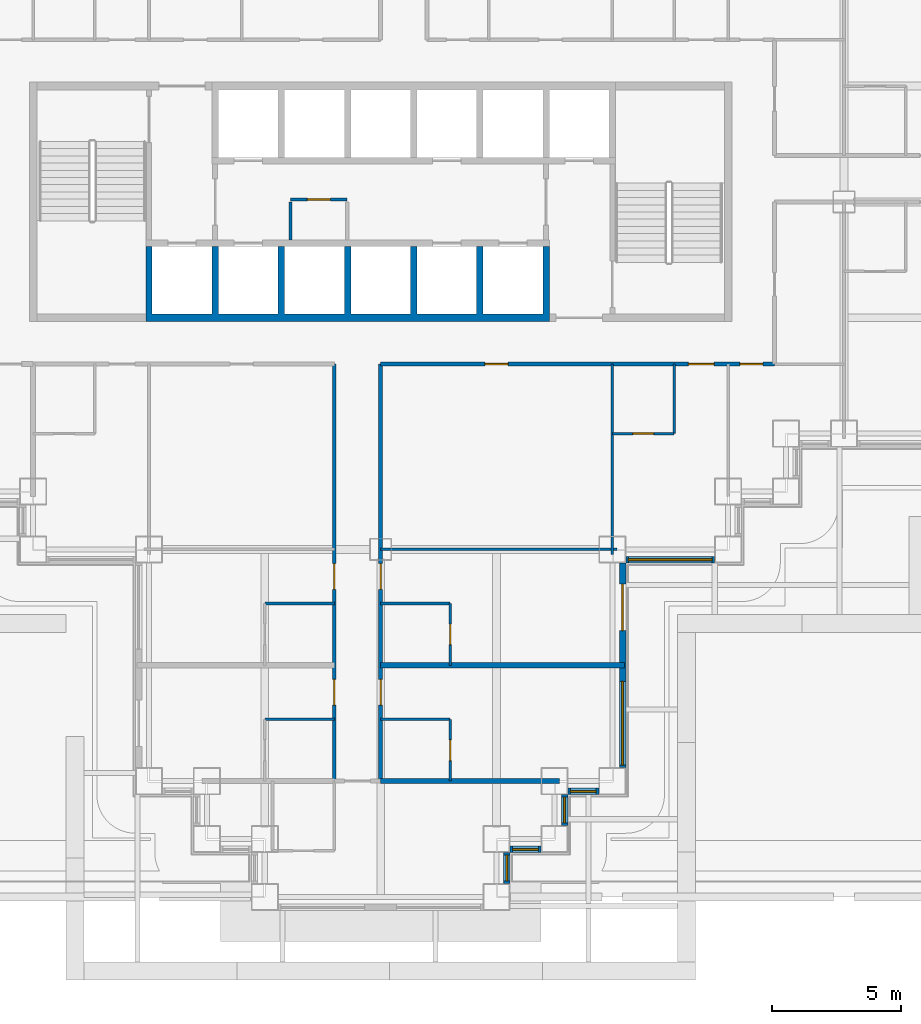
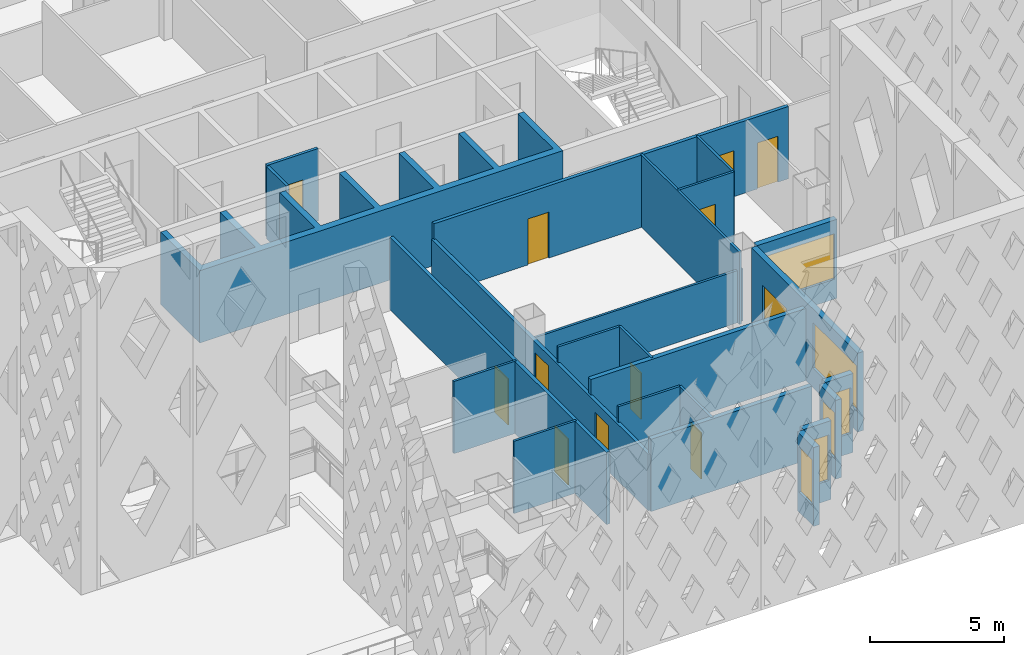
# One storey, part 5 of 26: 24 walls, 12 doors, 6 windows, 18 openings.
"""IFC4 building model written with IfcOpenShell, lengths in metres."""

from ifc_helpers import new_model, si_unit, direction, frame, frame_2d, origin, place, context, subcontext, project, spatial, polyline, rectangle, outline, extrude, material, layer, layer_set, type_object, element, fill, save


model = new_model("IFC4")

# Units and contexts
model_context = context("Model", 3, precision=1e-05, world=origin(), true_north=direction((0.0, 1.0)))
body_context = subcontext(model_context, "Body", "Model", "MODEL_VIEW")
ifc_project = project(units=[si_unit("LENGTHUNIT", "METRE"), si_unit("AREAUNIT", "SQUARE_METRE"), si_unit("VOLUMEUNIT", "CUBIC_METRE"), si_unit("PLANEANGLEUNIT", "RADIAN"), si_unit("MASSUNIT", "GRAM", prefix="KILO")], contexts=[model_context])

# Site, building, storey
site_placement = place(None, origin())
site = spatial("IfcSite", under=ifc_project, at=site_placement, CompositionType="ELEMENT")
building_placement = place(site_placement, origin())
building = spatial("IfcBuilding", under=site, at=building_placement, Name="Caravel Reach Hotel and Residences", CompositionType="ELEMENT")
storey_placement = place(building_placement, frame((0.0, 0.0, 33.60009765625)))
storey = spatial("IfcBuildingStorey", under=building, at=storey_placement, Name="L06", CompositionType="ELEMENT", Elevation=33.60009765625)

# Walls
ifc_material_1 = material(Name="Gypsum board on steel stud", Category="steel")
ifc_layer_1 = layer(ifc_material_1, 0.10009765625)
ifc_layer_set_1 = layer_set([ifc_layer_1], Name="Bathroom pod wall 100 mm")
wall_type_1 = type_object("IfcWallType", Name="Bathroom pod wall 100 mm", PredefinedType="PARTITIONING", material=ifc_layer_set_1)
for number, where, z_axis, x_axis, name in (
    (1, (31.5, 11.39990234375, 0.0), (0.0, 0.0, 1.0), (1.0, 0.0, 0.0), "L06 wall w080"),
    (2, (27.0, 11.39990234375, 0.0), (0.0, 0.0, 1.0), (1.0, 0.0, 0.0), "L06 wall w081"),
):
    element("IfcWall", number, at=place(storey_placement, frame(where, z_axis=z_axis, x_axis=x_axis)), inside=storey, type_object=wall_type_1, Name=name, PredefinedType="PARTITIONING", context=body_context, shape_type="SweptSolid", body=[
        extrude(rectangle(XDim=2.699951171875, YDim=0.10009765625, at=frame_2d((1.35009765625, 0.0))), origin(), (0.0, 0.0, 1.0), 3.2998046875),
    ])

# Wall, opening, door
wall_1_placement = place(storey_placement, frame((40.5, 18.0, 0.0), z_axis=(0.0, 0.0, 1.0), x_axis=(1.0, 0.0, 0.0)))
wall_1 = element("IfcWall", 3, at=wall_1_placement, inside=storey, type_object=wall_type_1, Name="L06 wall w083", PredefinedType="PARTITIONING", context=body_context, shape_type="SweptSolid", body=[
    extrude(rectangle(XDim=2.39990234375, YDim=0.10009765625, at=frame_2d((1.199951171875, 0.0))), origin(), (0.0, 0.0, 1.0), 3.2998046875),
])
opening_1_placement = place(wall_1_placement, frame((0.800048828125, 0.0, 0.0)))
opening_1 = element("IfcOpeningElement", 4, at=opening_1_placement, cuts=wall_1, Name="Opening D06-053", PredefinedType="OPENING", context=body_context, shape_type="SweptSolid", body=[
    extrude(rectangle(XDim=0.800048828125, YDim=2.10009765625, at=frame_2d((0.39990234375, 1.050048828125))), frame((0.0, 0.06005859375, 0.0), z_axis=(0.0, -1.0, 0.0), x_axis=(1.0, 0.0, 0.0)), (0.0, 0.0, 1.0), 0.1201171875),
])
ifc_material_2 = material(Name="Timber and steel door leaf", Category="steel")
door_type_1 = type_object("IfcDoorType", Name="Bathroom door 800 x 2100", OperationType="SINGLE_SWING_LEFT", PredefinedType="DOOR", material=ifc_material_2)
door_1_placement = place(opening_1_placement, origin())
door_1 = element("IfcDoor", 5, at=door_1_placement, inside=storey, type_object=door_type_1, Name="door D06-053", OperationType="SINGLE_SWING_RIGHT", OverallHeight=2.10009765625, OverallWidth=0.800048828125, PredefinedType="DOOR", context=body_context, shape_type="SweptSolid", body=[
    extrude(rectangle(XDim=0.800048828125, YDim=2.10009765625, at=frame_2d((0.39990234375, 1.050048828125))), frame((0.0, 0.02490234375, 0.0), z_axis=(0.0, -1.0, 0.0), x_axis=(1.0, 0.0, 0.0)), (0.0, 0.0, 1.0), 0.050048828125),
])
fill(opening_1, door_1)

# Walls
for number, where, z_axis, x_axis, name in (
    (6, (31.5, 6.89990234375, 0.0), (0.0, 0.0, 1.0), (1.0, 0.0, 0.0), "L06 wall w094"),
    (7, (27.0, 6.89990234375, 0.0), (0.0, 0.0, 1.0), (1.0, 0.0, 0.0), "L06 wall w095"),
):
    element("IfcWall", number, at=place(storey_placement, frame(where, z_axis=z_axis, x_axis=x_axis)), inside=storey, type_object=wall_type_1, Name=name, PredefinedType="PARTITIONING", context=body_context, shape_type="SweptSolid", body=[
        extrude(rectangle(XDim=2.699951171875, YDim=0.10009765625, at=frame_2d((1.35009765625, 0.0))), origin(), (0.0, 0.0, 1.0), 3.2998046875),
    ])

# Wall, opening, door
wall_2_placement = place(storey_placement, frame((34.199951171875, 9.0, 0.0), z_axis=(0.0, 0.0, 1.0), x_axis=(0.0, 1.0, 0.0)))
wall_2 = element("IfcWall", 8, at=wall_2_placement, inside=storey, type_object=wall_type_1, Name="L06 wall w104", PredefinedType="PARTITIONING", context=body_context, shape_type="SweptSolid", body=[
    extrude(rectangle(XDim=2.39990234375, YDim=0.10009765625, at=frame_2d((1.199951171875, 0.0))), origin(), (0.0, 0.0, 1.0), 3.2998046875),
])
opening_2_placement = place(wall_2_placement, frame((0.800048828125, 0.0, 0.0)))
opening_2 = element("IfcOpeningElement", 9, at=opening_2_placement, cuts=wall_2, Name="Opening D06-034", PredefinedType="OPENING", context=body_context, shape_type="SweptSolid", body=[
    extrude(rectangle(XDim=0.800048828125, YDim=2.10009765625, at=frame_2d((0.39990234375, 1.050048828125))), frame((0.0, 0.06005859375, 0.0), z_axis=(0.0, -1.0, 0.0), x_axis=(1.0, 0.0, 0.0)), (0.0, 0.0, 1.0), 0.1201171875),
])
door_2_placement = place(opening_2_placement, origin())
door_2 = element("IfcDoor", 10, at=door_2_placement, inside=storey, type_object=door_type_1, Name="door D06-034", OperationType="SINGLE_SWING_RIGHT", OverallHeight=2.10009765625, OverallWidth=0.800048828125, PredefinedType="DOOR", context=body_context, shape_type="SweptSolid", body=[
    extrude(rectangle(XDim=0.800048828125, YDim=2.10009765625, at=frame_2d((0.39990234375, 1.050048828125))), frame((0.0, 0.02490234375, 0.0), z_axis=(0.0, -1.0, 0.0), x_axis=(1.0, 0.0, 0.0)), (0.0, 0.0, 1.0), 0.050048828125),
])
fill(opening_2, door_2)

wall_3_placement = place(storey_placement, frame((34.199951171875, 4.5, 0.0), z_axis=(0.0, 0.0, 1.0), x_axis=(0.0, 1.0, 0.0)))
wall_3 = element("IfcWall", 11, at=wall_3_placement, inside=storey, type_object=wall_type_1, Name="L06 wall w105", PredefinedType="PARTITIONING", context=body_context, shape_type="SweptSolid", body=[
    extrude(rectangle(XDim=2.39990234375, YDim=0.10009765625, at=frame_2d((1.199951171875, 0.0))), origin(), (0.0, 0.0, 1.0), 3.2998046875),
])
opening_3_placement = place(wall_3_placement, frame((0.800048828125, 0.0, 0.0)))
opening_3 = element("IfcOpeningElement", 12, at=opening_3_placement, cuts=wall_3, Name="Opening D06-036", PredefinedType="OPENING", context=body_context, shape_type="SweptSolid", body=[
    extrude(rectangle(XDim=0.800048828125, YDim=2.10009765625, at=frame_2d((0.39990234375, 1.050048828125))), frame((0.0, 0.06005859375, 0.0), z_axis=(0.0, -1.0, 0.0), x_axis=(1.0, 0.0, 0.0)), (0.0, 0.0, 1.0), 0.1201171875),
])
door_3_placement = place(opening_3_placement, origin())
door_3 = element("IfcDoor", 13, at=door_3_placement, inside=storey, type_object=door_type_1, Name="door D06-036", OperationType="SINGLE_SWING_RIGHT", OverallHeight=2.10009765625, OverallWidth=0.800048828125, PredefinedType="DOOR", context=body_context, shape_type="SweptSolid", body=[
    extrude(rectangle(XDim=0.800048828125, YDim=2.10009765625, at=frame_2d((0.39990234375, 1.050048828125))), frame((0.0, 0.02490234375, 0.0), z_axis=(0.0, -1.0, 0.0), x_axis=(1.0, 0.0, 0.0)), (0.0, 0.0, 1.0), 0.050048828125),
])
fill(opening_3, door_3)

# Wall
wall_4_placement = place(storey_placement, frame((42.89990234375, 18.0, 0.0), z_axis=(0.0, 0.0, 1.0), x_axis=(0.0, 1.0, 0.0)))
element("IfcWall", 14, at=wall_4_placement, inside=storey, type_object=wall_type_1, Name="L06 wall w108", PredefinedType="PARTITIONING", context=body_context, shape_type="SweptSolid", body=[
    extrude(rectangle(XDim=2.699951171875, YDim=0.10009765625, at=frame_2d((1.35009765625, 0.0))), origin(), (0.0, 0.0, 1.0), 3.2998046875),
])

# Wall, openings, doors
ifc_material_3 = material(Name="Gypsum board on steel stud, fire-rated", Category="steel")
ifc_layer_2 = layer(ifc_material_3, 0.14990234375)
ifc_layer_set_2 = layer_set([ifc_layer_2], Name="Corridor wall 150 mm EI 60")
wall_type_2 = type_object("IfcWallType", Name="Corridor wall 150 mm EI 60", PredefinedType="PARTITIONING", material=ifc_layer_set_2)
wall_5_placement = place(storey_placement, frame((31.5, 20.699951171875, 0.0), z_axis=(0.0, 0.0, 1.0), x_axis=(1.0, 0.0, 0.0)))
wall_5 = element("IfcWall", 15, at=wall_5_placement, inside=storey, type_object=wall_type_2, Name="L06 wall w004", PredefinedType="PARTITIONING", context=body_context, shape_type="SweptSolid", body=[
    extrude(rectangle(XDim=15.300048828125, YDim=0.14990234375, at=frame_2d((7.64990234375, 0.0))), origin(), (0.0, 0.0, 1.0), 3.2998046875),
])
opening_4_placement = place(wall_5_placement, frame((11.949951171875, 0.0, 0.0)))
opening_4 = element("IfcOpeningElement", 16, at=opening_4_placement, cuts=wall_5, Name="Opening D06-052", PredefinedType="OPENING", context=body_context, shape_type="SweptSolid", body=[
    extrude(rectangle(XDim=1.0, YDim=2.10009765625, at=frame_2d((0.5, 1.050048828125))), frame((0.0, 0.0849609375, 0.0), z_axis=(0.0, -1.0, 0.0), x_axis=(1.0, 0.0, 0.0)), (0.0, 0.0, 1.0), 0.169921875),
])
opening_5_placement = place(wall_5_placement, frame((13.949951171875, 0.0, 0.0)))
opening_5 = element("IfcOpeningElement", 17, at=opening_5_placement, cuts=wall_5, Name="Opening D06-054", PredefinedType="OPENING", context=body_context, shape_type="SweptSolid", body=[
    extrude(rectangle(XDim=0.89990234375, YDim=2.10009765625, at=frame_2d((0.449951171875, 1.050048828125))), frame((0.0, 0.0849609375, 0.0), z_axis=(0.0, -1.0, 0.0), x_axis=(1.0, 0.0, 0.0)), (0.0, 0.0, 1.0), 0.169921875),
])
opening_6_placement = place(wall_5_placement, frame((4.050048828125, 0.0, 0.0)))
opening_6 = element("IfcOpeningElement", 18, at=opening_6_placement, cuts=wall_5, Name="Opening D06-060", PredefinedType="OPENING", context=body_context, shape_type="SweptSolid", body=[
    extrude(rectangle(XDim=0.89990234375, YDim=2.10009765625, at=frame_2d((0.449951171875, 1.050048828125))), frame((0.0, 0.0849609375, 0.0), z_axis=(0.0, -1.0, 0.0), x_axis=(1.0, 0.0, 0.0)), (0.0, 0.0, 1.0), 0.169921875),
])
ifc_material_4 = material(Name="Timber and steel door leaf", Category="steel")
door_type_2 = type_object("IfcDoorType", Name="Door 900 x 2100 timber", OperationType="SINGLE_SWING_LEFT", PredefinedType="DOOR", material=ifc_material_4)
door_4_placement = place(opening_5_placement, origin())
door_4 = element("IfcDoor", 19, at=door_4_placement, inside=storey, type_object=door_type_2, Name="door D06-054", OperationType="SINGLE_SWING_RIGHT", OverallHeight=2.10009765625, OverallWidth=0.89990234375, PredefinedType="DOOR", context=body_context, shape_type="SweptSolid", body=[
    extrude(rectangle(XDim=0.89990234375, YDim=2.10009765625, at=frame_2d((0.449951171875, 1.050048828125))), frame((0.0, 0.02490234375, 0.0), z_axis=(0.0, -1.0, 0.0), x_axis=(1.0, 0.0, 0.0)), (0.0, 0.0, 1.0), 0.050048828125),
])
fill(opening_5, door_4)
door_5_placement = place(opening_6_placement, origin())
door_5 = element("IfcDoor", 20, at=door_5_placement, inside=storey, type_object=door_type_2, Name="door D06-060", OperationType="SINGLE_SWING_LEFT", OverallHeight=2.10009765625, OverallWidth=0.89990234375, PredefinedType="DOOR", context=body_context, shape_type="SweptSolid", body=[
    extrude(rectangle(XDim=0.89990234375, YDim=2.10009765625, at=frame_2d((0.449951171875, 1.050048828125))), frame((0.0, 0.02490234375, 0.0), z_axis=(0.0, -1.0, 0.0), x_axis=(1.0, 0.0, 0.0)), (0.0, 0.0, 1.0), 0.050048828125),
])
fill(opening_6, door_5)
ifc_material_5 = material(Name="Steel fire door leaf", Category="steel")
door_type_3 = type_object("IfcDoorType", Name="Guest room door 1000 x 2100 EI 30", OperationType="SINGLE_SWING_LEFT", PredefinedType="DOOR", material=ifc_material_5)
door_6_placement = place(opening_4_placement, origin())
door_6 = element("IfcDoor", 21, at=door_6_placement, inside=storey, type_object=door_type_3, Name="door D06-052", OperationType="SINGLE_SWING_RIGHT", OverallHeight=2.10009765625, OverallWidth=1.0, PredefinedType="DOOR", context=body_context, shape_type="SweptSolid", body=[
    extrude(rectangle(XDim=1.0, YDim=2.10009765625, at=frame_2d((0.5, 1.050048828125))), frame((0.0, 0.02490234375, 0.0), z_axis=(0.0, -1.0, 0.0), x_axis=(1.0, 0.0, 0.0)), (0.0, 0.0, 1.0), 0.050048828125),
])
fill(opening_4, door_6)

wall_6_placement = place(storey_placement, frame((29.699951171875, 4.5, 0.0), z_axis=(0.0, 0.0, 1.0), x_axis=(0.0, 1.0, 0.0)))
wall_6 = element("IfcWall", 22, at=wall_6_placement, inside=storey, type_object=wall_type_2, Name="L06 wall w029", PredefinedType="PARTITIONING", context=body_context, shape_type="SweptSolid", body=[
    extrude(rectangle(XDim=16.199951171875, YDim=0.14990234375, at=frame_2d((8.10009765625, 0.0))), origin(), (0.0, 0.0, 1.0), 3.2998046875),
])
opening_7_placement = place(wall_6_placement, frame((7.449951171875, 0.0, 0.0)))
opening_7 = element("IfcOpeningElement", 23, at=opening_7_placement, cuts=wall_6, Name="Opening D06-029", PredefinedType="OPENING", context=body_context, shape_type="SweptSolid", body=[
    extrude(rectangle(XDim=1.0, YDim=2.10009765625, at=frame_2d((0.5, 1.050048828125))), frame((0.0, 0.0849609375, 0.0), z_axis=(0.0, -1.0, 0.0), x_axis=(1.0, 0.0, 0.0)), (0.0, 0.0, 1.0), 0.169921875),
])
opening_8_placement = place(wall_6_placement, frame((2.949951171875, 0.0, 0.0)))
opening_8 = element("IfcOpeningElement", 24, at=opening_8_placement, cuts=wall_6, Name="Opening D06-031", PredefinedType="OPENING", context=body_context, shape_type="SweptSolid", body=[
    extrude(rectangle(XDim=1.0, YDim=2.10009765625, at=frame_2d((0.5, 1.050048828125))), frame((0.0, 0.0849609375, 0.0), z_axis=(0.0, -1.0, 0.0), x_axis=(1.0, 0.0, 0.0)), (0.0, 0.0, 1.0), 0.169921875),
])
door_7_placement = place(opening_7_placement, origin())
door_7 = element("IfcDoor", 25, at=door_7_placement, inside=storey, type_object=door_type_3, Name="door D06-029", OperationType="SINGLE_SWING_RIGHT", OverallHeight=2.10009765625, OverallWidth=1.0, PredefinedType="DOOR", context=body_context, shape_type="SweptSolid", body=[
    extrude(rectangle(XDim=1.0, YDim=2.10009765625, at=frame_2d((0.5, 1.050048828125))), frame((0.0, 0.02490234375, 0.0), z_axis=(0.0, -1.0, 0.0), x_axis=(1.0, 0.0, 0.0)), (0.0, 0.0, 1.0), 0.050048828125),
])
fill(opening_7, door_7)
door_8_placement = place(opening_8_placement, origin())
door_8 = element("IfcDoor", 26, at=door_8_placement, inside=storey, type_object=door_type_3, Name="door D06-031", OperationType="SINGLE_SWING_RIGHT", OverallHeight=2.10009765625, OverallWidth=1.0, PredefinedType="DOOR", context=body_context, shape_type="SweptSolid", body=[
    extrude(rectangle(XDim=1.0, YDim=2.10009765625, at=frame_2d((0.5, 1.050048828125))), frame((0.0, 0.02490234375, 0.0), z_axis=(0.0, -1.0, 0.0), x_axis=(1.0, 0.0, 0.0)), (0.0, 0.0, 1.0), 0.050048828125),
])
fill(opening_8, door_8)

wall_7_placement = place(storey_placement, frame((31.5, 4.5, 0.0), z_axis=(0.0, 0.0, 1.0), x_axis=(0.0, 1.0, 0.0)))
wall_7 = element("IfcWall", 27, at=wall_7_placement, inside=storey, type_object=wall_type_2, Name="L06 wall w033", PredefinedType="PARTITIONING", context=body_context, shape_type="SweptSolid", body=[
    extrude(rectangle(XDim=16.199951171875, YDim=0.14990234375, at=frame_2d((8.10009765625, 0.0))), origin(), (0.0, 0.0, 1.0), 2.579833984375),
])
opening_9_placement = place(wall_7_placement, frame((7.449951171875, 0.0, 0.0)))
opening_9 = element("IfcOpeningElement", 28, at=opening_9_placement, cuts=wall_7, Name="Opening D06-033", PredefinedType="OPENING", context=body_context, shape_type="SweptSolid", body=[
    extrude(rectangle(XDim=1.0, YDim=2.10009765625, at=frame_2d((0.5, 1.050048828125))), frame((0.0, 0.0849609375, 0.0), z_axis=(0.0, -1.0, 0.0), x_axis=(1.0, 0.0, 0.0)), (0.0, 0.0, 1.0), 0.169921875),
])
opening_10_placement = place(wall_7_placement, frame((2.949951171875, 0.0, 0.0)))
opening_10 = element("IfcOpeningElement", 29, at=opening_10_placement, cuts=wall_7, Name="Opening D06-035", PredefinedType="OPENING", context=body_context, shape_type="SweptSolid", body=[
    extrude(rectangle(XDim=1.0, YDim=2.10009765625, at=frame_2d((0.5, 1.050048828125))), frame((0.0, 0.0849609375, 0.0), z_axis=(0.0, -1.0, 0.0), x_axis=(1.0, 0.0, 0.0)), (0.0, 0.0, 1.0), 0.169921875),
])
door_9_placement = place(opening_9_placement, origin())
door_9 = element("IfcDoor", 30, at=door_9_placement, inside=storey, type_object=door_type_3, Name="door D06-033", OperationType="SINGLE_SWING_RIGHT", OverallHeight=2.10009765625, OverallWidth=1.0, PredefinedType="DOOR", context=body_context, shape_type="SweptSolid", body=[
    extrude(rectangle(XDim=1.0, YDim=2.10009765625, at=frame_2d((0.5, 1.050048828125))), frame((0.0, 0.02490234375, 0.0), z_axis=(0.0, -1.0, 0.0), x_axis=(1.0, 0.0, 0.0)), (0.0, 0.0, 1.0), 0.050048828125),
])
fill(opening_9, door_9)
door_10_placement = place(opening_10_placement, origin())
door_10 = element("IfcDoor", 31, at=door_10_placement, inside=storey, type_object=door_type_3, Name="door D06-035", OperationType="SINGLE_SWING_RIGHT", OverallHeight=2.10009765625, OverallWidth=1.0, PredefinedType="DOOR", context=body_context, shape_type="SweptSolid", body=[
    extrude(rectangle(XDim=1.0, YDim=2.10009765625, at=frame_2d((0.5, 1.050048828125))), frame((0.0, 0.02490234375, 0.0), z_axis=(0.0, -1.0, 0.0), x_axis=(1.0, 0.0, 0.0)), (0.0, 0.0, 1.0), 0.050048828125),
])
fill(opening_10, door_10)

# Wall, opening, window
ifc_material_6 = material(Name="Insulated rainscreen wall, aluminium cladding", Category="aluminium")
ifc_layer_3 = layer(ifc_material_6, 0.25)
ifc_layer_set_3 = layer_set([ifc_layer_3], Name="EW1 Tower rainscreen wall")
wall_type_3 = type_object("IfcWallType", Name="EW1 Tower rainscreen wall", PredefinedType="SOLIDWALL", material=ifc_layer_set_3)
wall_8_placement = place(storey_placement, frame((36.39990234375, 0.52490234375, 0.0), z_axis=(0.0, 0.0, 1.0), x_axis=(0.0, 1.0, 0.0)))
wall_8 = element("IfcWall", 32, at=wall_8_placement, inside=storey, type_object=wall_type_3, Name="External wall L06 E6.1", PredefinedType="SOLIDWALL", context=body_context, shape_type="SweptSolid", body=[
    extrude(rectangle(XDim=1.2001953125, YDim=0.25, at=frame_2d((0.60009765625, 0.0))), origin(), (0.0, 0.0, 1.0), 3.599853515625),
])
opening_11_placement = place(wall_8_placement, frame((0.10009765625, 0.0, 0.89990234375)))
opening_11 = element("IfcOpeningElement", 33, at=opening_11_placement, cuts=wall_8, Name="Opening WN1", PredefinedType="OPENING", context=body_context, shape_type="SweptSolid", body=[
    extrude(rectangle(XDim=1.0, YDim=2.080078125, at=frame_2d((0.5, 1.0400390625))), frame((0.0, 0.135009765625, 0.0), z_axis=(0.0, -1.0, 0.0), x_axis=(1.0, 0.0, 0.0)), (0.0, 0.0, 1.0), 0.27001953125),
])
ifc_material_7 = material(Name="Dark low-e glazing in black aluminium frame", Category="aluminium")
window_type_1 = type_object("IfcWindowType", Name="Hotel suite corner window 1000 x 2080", PartitioningType="SINGLE_PANEL", PredefinedType="WINDOW", material=ifc_material_7)
window_1_placement = place(opening_11_placement, origin())
window_1 = element("IfcWindow", 34, at=window_1_placement, inside=storey, type_object=window_type_1, Name="Window L06 E6.1.1", OverallHeight=2.080078125, OverallWidth=1.0, PartitioningType="SINGLE_PANEL", PredefinedType="WINDOW", context=body_context, shape_type="SweptSolid", body=[
    extrude(rectangle(XDim=1.0, YDim=2.080078125, at=frame_2d((0.5, 1.0400390625))), frame((0.0, 0.030029296875, 0.0), z_axis=(0.0, -1.0, 0.0), x_axis=(1.0, 0.0, 0.0)), (0.0, 0.0, 1.0), 0.06005859375),
])
fill(opening_11, window_1)

wall_9_placement = place(storey_placement, frame((36.52490234375, 1.85009765625, 0.0), z_axis=(0.0, 0.0, 1.0), x_axis=(1.0, 0.0, 0.0)))
wall_9 = element("IfcWall", 35, at=wall_9_placement, inside=storey, type_object=wall_type_3, Name="External wall L06 S7.1", PredefinedType="SOLIDWALL", context=body_context, shape_type="SweptSolid", body=[
    extrude(rectangle(XDim=1.2001953125, YDim=0.25, at=frame_2d((0.60009765625, 0.0))), origin(), (0.0, 0.0, 1.0), 3.599853515625),
])
opening_12_placement = place(wall_9_placement, frame((0.10009765625, 0.0, 0.89990234375)))
opening_12 = element("IfcOpeningElement", 36, at=opening_12_placement, cuts=wall_9, Name="Opening WN1", PredefinedType="OPENING", context=body_context, shape_type="SweptSolid", body=[
    extrude(rectangle(XDim=1.0, YDim=2.080078125, at=frame_2d((0.5, 1.0400390625))), frame((0.0, 0.135009765625, 0.0), z_axis=(0.0, -1.0, 0.0), x_axis=(1.0, 0.0, 0.0)), (0.0, 0.0, 1.0), 0.27001953125),
])
window_2_placement = place(opening_12_placement, origin())
window_2 = element("IfcWindow", 37, at=window_2_placement, inside=storey, type_object=window_type_1, Name="Window L06 S7.1.1", OverallHeight=2.080078125, OverallWidth=1.0, PartitioningType="SINGLE_PANEL", PredefinedType="WINDOW", context=body_context, shape_type="SweptSolid", body=[
    extrude(rectangle(XDim=1.0, YDim=2.080078125, at=frame_2d((0.5, 1.0400390625))), frame((0.0, 0.030029296875, 0.0), z_axis=(0.0, -1.0, 0.0), x_axis=(1.0, 0.0, 0.0)), (0.0, 0.0, 1.0), 0.06005859375),
])
fill(opening_12, window_2)

wall_10_placement = place(storey_placement, frame((38.64990234375, 2.77490234375, 0.0), z_axis=(0.0, 0.0, 1.0), x_axis=(0.0, 1.0, 0.0)))
wall_10 = element("IfcWall", 38, at=wall_10_placement, inside=storey, type_object=wall_type_3, Name="External wall L06 E8.1", PredefinedType="SOLIDWALL", context=body_context, shape_type="SweptSolid", body=[
    extrude(rectangle(XDim=1.2001953125, YDim=0.25, at=frame_2d((0.60009765625, 0.0))), origin(), (0.0, 0.0, 1.0), 3.599853515625),
])
opening_13_placement = place(wall_10_placement, frame((0.10009765625, 0.0, 0.89990234375)))
opening_13 = element("IfcOpeningElement", 39, at=opening_13_placement, cuts=wall_10, Name="Opening WN1", PredefinedType="OPENING", context=body_context, shape_type="SweptSolid", body=[
    extrude(rectangle(XDim=1.0, YDim=2.080078125, at=frame_2d((0.5, 1.0400390625))), frame((0.0, 0.135009765625, 0.0), z_axis=(0.0, -1.0, 0.0), x_axis=(1.0, 0.0, 0.0)), (0.0, 0.0, 1.0), 0.27001953125),
])
window_3_placement = place(opening_13_placement, origin())
window_3 = element("IfcWindow", 40, at=window_3_placement, inside=storey, type_object=window_type_1, Name="Window L06 E8.1.1", OverallHeight=2.080078125, OverallWidth=1.0, PartitioningType="SINGLE_PANEL", PredefinedType="WINDOW", context=body_context, shape_type="SweptSolid", body=[
    extrude(rectangle(XDim=1.0, YDim=2.080078125, at=frame_2d((0.5, 1.0400390625))), frame((0.0, 0.030029296875, 0.0), z_axis=(0.0, -1.0, 0.0), x_axis=(1.0, 0.0, 0.0)), (0.0, 0.0, 1.0), 0.06005859375),
])
fill(opening_13, window_3)

wall_11_placement = place(storey_placement, frame((38.77490234375, 4.10009765625, 0.0), z_axis=(0.0, 0.0, 1.0), x_axis=(1.0, 0.0, 0.0)))
wall_11 = element("IfcWall", 41, at=wall_11_placement, inside=storey, type_object=wall_type_3, Name="External wall L06 S9.1", PredefinedType="SOLIDWALL", context=body_context, shape_type="SweptSolid", body=[
    extrude(rectangle(XDim=1.2001953125, YDim=0.25, at=frame_2d((0.60009765625, 0.0))), origin(), (0.0, 0.0, 1.0), 3.599853515625),
])
opening_14_placement = place(wall_11_placement, frame((0.10009765625, 0.0, 0.89990234375)))
opening_14 = element("IfcOpeningElement", 42, at=opening_14_placement, cuts=wall_11, Name="Opening WN1", PredefinedType="OPENING", context=body_context, shape_type="SweptSolid", body=[
    extrude(rectangle(XDim=1.0, YDim=2.080078125, at=frame_2d((0.5, 1.0400390625))), frame((0.0, 0.135009765625, 0.0), z_axis=(0.0, -1.0, 0.0), x_axis=(1.0, 0.0, 0.0)), (0.0, 0.0, 1.0), 0.27001953125),
])
window_4_placement = place(opening_14_placement, origin())
window_4 = element("IfcWindow", 43, at=window_4_placement, inside=storey, type_object=window_type_1, Name="Window L06 S9.1.1", OverallHeight=2.080078125, OverallWidth=1.0, PartitioningType="SINGLE_PANEL", PredefinedType="WINDOW", context=body_context, shape_type="SweptSolid", body=[
    extrude(rectangle(XDim=1.0, YDim=2.080078125, at=frame_2d((0.5, 1.0400390625))), frame((0.0, 0.030029296875, 0.0), z_axis=(0.0, -1.0, 0.0), x_axis=(1.0, 0.0, 0.0)), (0.0, 0.0, 1.0), 0.06005859375),
])
fill(opening_14, window_4)

# Wall, openings, window, door
wall_12_placement = place(storey_placement, frame((40.89990234375, 5.02490234375, 0.0), z_axis=(0.0, 0.0, 1.0), x_axis=(0.0, 1.0, 0.0)))
wall_12 = element("IfcWall", 44, at=wall_12_placement, inside=storey, type_object=wall_type_3, Name="External wall L06 E10.1", PredefinedType="SOLIDWALL", context=body_context, shape_type="SweptSolid", body=[
    extrude(rectangle(XDim=7.9501953125, YDim=0.25, at=frame_2d((3.97509765625, 0.0))), origin(), (0.0, 0.0, 1.0), 3.599853515625),
])
opening_15_placement = place(wall_12_placement, frame((0.10009765625, 0.0, 0.89990234375)))
opening_15 = element("IfcOpeningElement", 45, at=opening_15_placement, cuts=wall_12, Name="Opening WN2", PredefinedType="OPENING", context=body_context, shape_type="SweptSolid", body=[
    extrude(rectangle(XDim=3.25, YDim=2.080078125, at=frame_2d((1.625, 1.0400390625))), frame((0.0, 0.135009765625, 0.0), z_axis=(0.0, -1.0, 0.0), x_axis=(1.0, 0.0, 0.0)), (0.0, 0.0, 1.0), 0.27001953125),
])
opening_16_placement = place(wall_12_placement, frame((5.324951171875, 0.0, 0.0)))
opening_16 = element("IfcOpeningElement", 46, at=opening_16_placement, cuts=wall_12, Name="Opening D06-801", PredefinedType="OPENING", context=body_context, shape_type="SweptSolid", body=[
    extrude(rectangle(XDim=1.800048828125, YDim=2.39990234375, at=frame_2d((0.89990234375, 1.199951171875))), frame((0.0, 0.135009765625, 0.0), z_axis=(0.0, -1.0, 0.0), x_axis=(1.0, 0.0, 0.0)), (0.0, 0.0, 1.0), 0.27001953125),
])
ifc_material_8 = material(Name="Dark low-e glazing in black aluminium frame", Category="aluminium")
window_type_2 = type_object("IfcWindowType", Name="Hotel guest room window 3250 x 2080", PartitioningType="SINGLE_PANEL", PredefinedType="WINDOW", material=ifc_material_8)
window_5_placement = place(opening_15_placement, origin())
window_5 = element("IfcWindow", 47, at=window_5_placement, inside=storey, type_object=window_type_2, Name="Window L06 E10.1.1", OverallHeight=2.080078125, OverallWidth=3.25, PartitioningType="SINGLE_PANEL", PredefinedType="WINDOW", context=body_context, shape_type="SweptSolid", body=[
    extrude(rectangle(XDim=3.25, YDim=2.080078125, at=frame_2d((1.625, 1.0400390625))), frame((0.0, 0.030029296875, 0.0), z_axis=(0.0, -1.0, 0.0), x_axis=(1.0, 0.0, 0.0)), (0.0, 0.0, 1.0), 0.06005859375),
])
fill(opening_15, window_5)
ifc_material_9 = material(Name="Dark glazed door in black aluminium frame", Category="aluminium")
door_type_4 = type_object("IfcDoorType", Name="Terrace door 1800 x 2400", OperationType="DOUBLE_DOOR_SINGLE_SWING", PredefinedType="DOOR", material=ifc_material_9)
door_11_placement = place(opening_16_placement, origin())
door_11 = element("IfcDoor", 48, at=door_11_placement, inside=storey, type_object=door_type_4, Name="Door D06-801", OperationType="DOUBLE_DOOR_SINGLE_SWING", OverallHeight=2.39990234375, OverallWidth=1.800048828125, PredefinedType="DOOR", context=body_context, shape_type="SweptSolid", body=[
    extrude(rectangle(XDim=1.800048828125, YDim=2.39990234375, at=frame_2d((0.89990234375, 1.199951171875))), frame((0.0, 0.02490234375, 0.0), z_axis=(0.0, -1.0, 0.0), x_axis=(1.0, 0.0, 0.0)), (0.0, 0.0, 1.0), 0.050048828125),
])
fill(opening_16, door_11)

# Wall, opening, window
wall_13_placement = place(storey_placement, frame((41.02490234375, 13.10009765625, 0.0), z_axis=(0.0, 0.0, 1.0), x_axis=(1.0, 0.0, 0.0)))
wall_13 = element("IfcWall", 49, at=wall_13_placement, inside=storey, type_object=wall_type_3, Name="External wall L06 S11.1", PredefinedType="SOLIDWALL", context=body_context, shape_type="SweptSolid", body=[
    extrude(rectangle(XDim=3.4501953125, YDim=0.25, at=frame_2d((1.72509765625, 0.0))), origin(), (0.0, 0.0, 1.0), 3.599853515625),
])
opening_17_placement = place(wall_13_placement, frame((0.10009765625, 0.0, 0.89990234375)))
opening_17 = element("IfcOpeningElement", 50, at=opening_17_placement, cuts=wall_13, Name="Opening WN2", PredefinedType="OPENING", context=body_context, shape_type="SweptSolid", body=[
    extrude(rectangle(XDim=3.25, YDim=2.080078125, at=frame_2d((1.625, 1.0400390625))), frame((0.0, 0.135009765625, 0.0), z_axis=(0.0, -1.0, 0.0), x_axis=(1.0, 0.0, 0.0)), (0.0, 0.0, 1.0), 0.27001953125),
])
window_6_placement = place(opening_17_placement, origin())
window_6 = element("IfcWindow", 51, at=window_6_placement, inside=storey, type_object=window_type_2, Name="Window L06 S11.1.1", OverallHeight=2.080078125, OverallWidth=3.25, PartitioningType="SINGLE_PANEL", PredefinedType="WINDOW", context=body_context, shape_type="SweptSolid", body=[
    extrude(rectangle(XDim=3.25, YDim=2.080078125, at=frame_2d((1.625, 1.0400390625))), frame((0.0, 0.030029296875, 0.0), z_axis=(0.0, -1.0, 0.0), x_axis=(1.0, 0.0, 0.0)), (0.0, 0.0, 1.0), 0.06005859375),
])
fill(opening_17, window_6)

# Walls
ifc_material_10 = material(Name="Gypsum board on steel stud", Category="steel")
ifc_layer_4 = layer(ifc_material_10, 0.10009765625)
ifc_layer_set_4 = layer_set([ifc_layer_4], Name="Partition 100 mm")
wall_type_4 = type_object("IfcWallType", Name="Partition 100 mm", PredefinedType="PARTITIONING", material=ifc_layer_set_4)
wall_14_placement = place(storey_placement, frame((31.5, 13.5, 0.0), z_axis=(0.0, 0.0, 1.0), x_axis=(1.0, 0.0, 0.0)))
element("IfcWall", 52, at=wall_14_placement, inside=storey, type_object=wall_type_4, Name="L06 wall w042", PredefinedType="PARTITIONING", context=body_context, shape_type="SweptSolid", body=[
    extrude(rectangle(XDim=9.18994140625, YDim=0.10009765625, at=frame_2d((4.594970703125, 0.0))), origin(), (0.0, 0.0, 1.0), 2.3798828125),
])
wall_15_placement = place(storey_placement, frame((40.5, 13.31005859375, 0.0), z_axis=(0.0, 0.0, 1.0), x_axis=(0.0, 1.0, 0.0)))
element("IfcWall", 53, at=wall_15_placement, inside=storey, type_object=wall_type_4, Name="L06 wall w062", PredefinedType="PARTITIONING", context=body_context, shape_type="SweptSolid", body=[
    extrude(rectangle(XDim=7.389892578125, YDim=0.10009765625, at=frame_2d((3.69482421875, 0.0))), origin(), (0.0, 0.0, 1.0), 3.2998046875),
])
ifc_material_11 = material(Name="Autoclaved aerated block wall")
ifc_layer_5 = layer(ifc_material_11, 0.199951171875)
ifc_layer_set_5 = layer_set([ifc_layer_5], Name="Party wall 200 mm EI 60")
wall_type_5 = type_object("IfcWallType", Name="Party wall 200 mm EI 60", PredefinedType="PARTITIONING", material=ifc_layer_set_5)
wall_16_placement = place(storey_placement, frame((31.5, 4.5, 0.0), z_axis=(0.0, 0.0, 1.0), x_axis=(1.0, 0.0, 0.0)))
element("IfcWall", 54, at=wall_16_placement, inside=storey, type_object=wall_type_5, Name="L06 wall w073", PredefinedType="PARTITIONING", context=body_context, shape_type="SweptSolid", body=[
    extrude(rectangle(XDim=6.93994140625, YDim=0.199951171875, at=frame_2d((3.469970703125, 0.0))), origin(), (0.0, 0.0, 1.0), 3.2998046875),
])
wall_17_placement = place(storey_placement, frame((31.5, 9.0, 0.0), z_axis=(0.0, 0.0, 1.0), x_axis=(1.0, 0.0, 0.0)))
element("IfcWall", 55, at=wall_17_placement, inside=storey, type_object=wall_type_5, Name="L06 wall w075", PredefinedType="PARTITIONING", context=body_context, shape_type="SweptSolid", body=[
    extrude(rectangle(XDim=9.465087890625, YDim=0.199951171875, at=frame_2d((4.732421875, 0.0))), origin(), (0.0, 0.0, 1.0), 3.2998046875),
])

# Wall, opening, door
ifc_material_12 = material(Name="Autoclaved aerated block wall")
ifc_layer_6 = layer(ifc_material_12, 0.125)
ifc_layer_set_6 = layer_set([ifc_layer_6], Name="Riser wall 125 mm EI 60")
wall_type_6 = type_object("IfcWallType", Name="Riser wall 125 mm EI 60", PredefinedType="PARTITIONING", material=ifc_layer_set_6)
wall_18_placement = place(storey_placement, frame((28.0, 27.10009765625, 0.0), z_axis=(0.0, 0.0, 1.0), x_axis=(1.0, 0.0, 0.0)))
wall_18 = element("IfcWall", 56, at=wall_18_placement, inside=storey, type_object=wall_type_6, Name="L06 service room wall S1", PredefinedType="PARTITIONING", context=body_context, shape_type="SweptSolid", body=[
    extrude(rectangle(XDim=2.199951171875, YDim=0.125, at=frame_2d((1.10009765625, 0.0))), origin(), (0.0, 0.0, 1.0), 3.2998046875),
])
opening_18_placement = place(wall_18_placement, frame((0.64990234375, 0.0, 0.0)))
opening_18 = element("IfcOpeningElement", 57, at=opening_18_placement, cuts=wall_18, Name="Opening D06-008", PredefinedType="OPENING", context=body_context, shape_type="SweptSolid", body=[
    extrude(rectangle(XDim=0.89990234375, YDim=2.10009765625, at=frame_2d((0.449951171875, 1.050048828125))), frame((0.0, 0.072509765625, 0.0), z_axis=(0.0, -1.0, 0.0), x_axis=(1.0, 0.0, 0.0)), (0.0, 0.0, 1.0), 0.14501953125),
])
ifc_material_13 = material(Name="Steel fire door leaf", Category="steel")
door_type_5 = type_object("IfcDoorType", Name="Riser door 900 x 2100 EI 60", OperationType="SINGLE_SWING_LEFT", PredefinedType="DOOR", material=ifc_material_13)
door_12_placement = place(opening_18_placement, origin())
door_12 = element("IfcDoor", 58, at=door_12_placement, inside=storey, type_object=door_type_5, Name="Housekeeping room door", OperationType="SINGLE_SWING_LEFT", OverallHeight=2.10009765625, OverallWidth=0.89990234375, PredefinedType="DOOR", context=body_context, shape_type="SweptSolid", body=[
    extrude(rectangle(XDim=0.89990234375, YDim=2.10009765625, at=frame_2d((0.449951171875, 1.050048828125))), frame((0.0, 0.02490234375, 0.0), z_axis=(0.0, -1.0, 0.0), x_axis=(1.0, 0.0, 0.0)), (0.0, 0.0, 1.0), 0.050048828125),
])
fill(opening_18, door_12)

# Walls
wall_19_placement = place(storey_placement, frame((28.0, 25.52490234375, 0.0), z_axis=(0.0, 0.0, 1.0), x_axis=(0.0, 1.0, 0.0)))
element("IfcWall", 59, at=wall_19_placement, inside=storey, type_object=wall_type_6, Name="L06 service room partition S1", PredefinedType="PARTITIONING", context=body_context, shape_type="SweptSolid", body=[
    extrude(rectangle(XDim=1.47509765625, YDim=0.125, at=frame_2d((0.737548828125, 0.0))), origin(), (0.0, 0.0, 1.0), 3.2998046875),
])
ifc_material_14 = material(Name="Concrete C60", Category="concrete")
ifc_layer_7 = layer(ifc_material_14, 0.25)
ifc_layer_set_7 = layer_set([ifc_layer_7], Name="Shaft wall 250 mm EI 120")
wall_type_7 = type_object("IfcWallType", Name="Shaft wall 250 mm EI 120", PredefinedType="SHEAR", material=ifc_layer_set_7)
wall_20_placement = place(storey_placement, origin())
element("IfcWall", 60, at=wall_20_placement, inside=storey, type_object=wall_type_7, Name="L06 lift shaft wall S1", PredefinedType="SHEAR", context=body_context, shape_type="SweptSolid", body=[
    extrude(outline(polyline([(22.375, 22.35009765625), (38.053466796875, 22.35009765625), (38.053466796875, 25.27490234375), (37.803466796875, 25.27490234375), (37.803466796875, 22.64990234375), (35.482177734375, 22.64990234375), (35.482177734375, 25.27490234375), (35.232177734375, 25.27490234375), (35.232177734375, 22.64990234375), (32.91064453125, 22.64990234375), (32.91064453125, 25.27490234375), (32.66064453125, 25.27490234375), (32.66064453125, 22.64990234375), (30.33935546875, 22.64990234375), (30.33935546875, 25.27490234375), (30.08935546875, 25.27490234375), (30.08935546875, 22.64990234375), (27.767822265625, 22.64990234375), (27.767822265625, 25.27490234375), (27.517822265625, 25.27490234375), (27.517822265625, 22.64990234375), (25.196533203125, 22.64990234375), (25.196533203125, 25.27490234375), (24.946533203125, 25.27490234375), (24.946533203125, 22.64990234375), (22.625, 22.64990234375), (22.625, 25.27490234375), (22.375, 25.27490234375), (22.375, 22.35009765625)])), origin(), (0.0, 0.0, 1.0), 3.2998046875),
])

save(model, "model.ifc")
